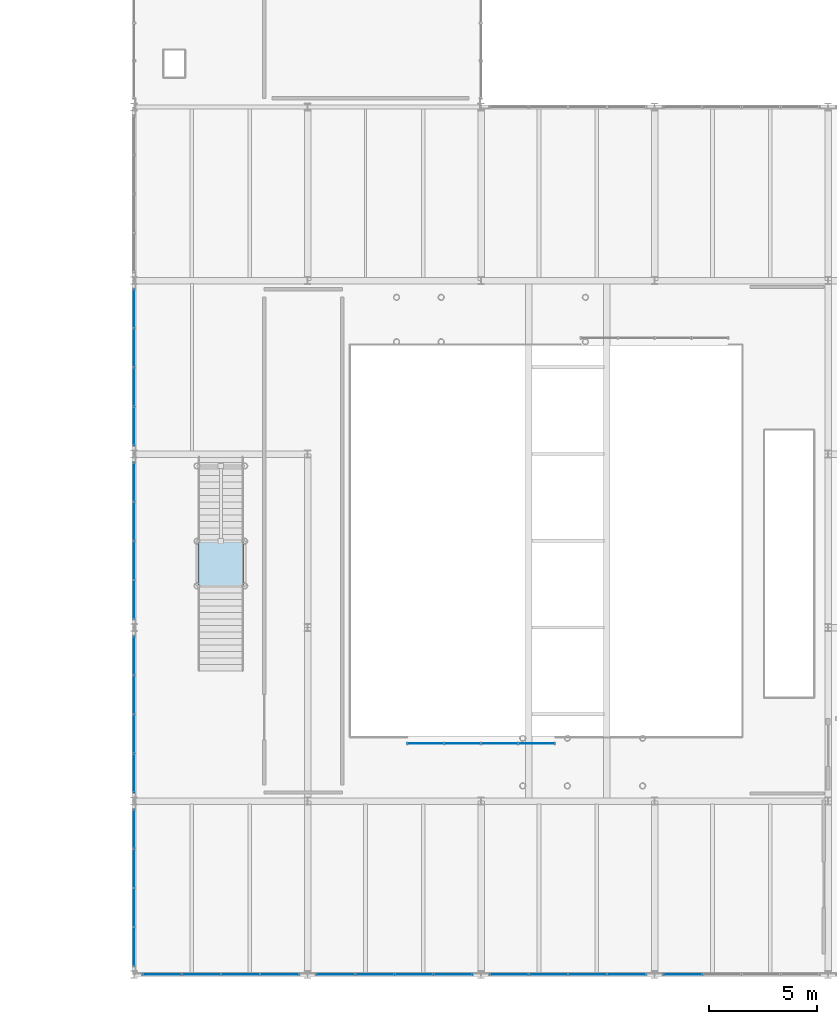
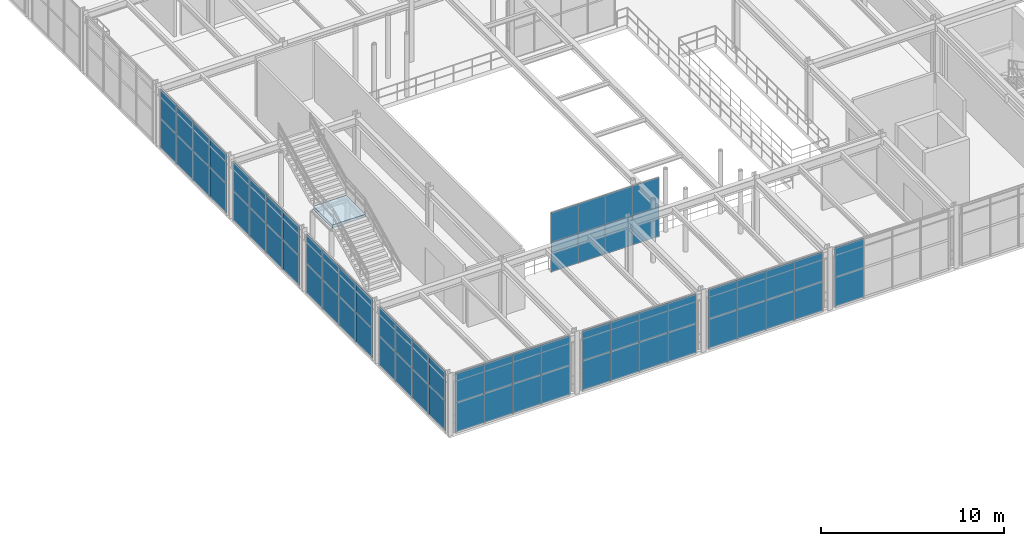
# One storey, part 68 of 122: 66 plates, 1 slab, 10 elements without a shape of their own.
"""IFC4 building model written with IfcOpenShell, lengths in metres."""

from ifc_helpers import new_model, si_unit, direction, frame, origin, origin_2d, place, context, subcontext, project, spatial, polyline, rectangle, outline, extrude, material, layer, layer_set, type_object, element, aggregate, save


model = new_model("IFC4")

# Units and contexts
model_context = context("Model", 3, precision=1e-05, world=origin(), true_north=direction((0.0, 1.0)))
body_context = subcontext(model_context, "Body", "Model", "MODEL_VIEW")
ifc_project = project(units=[si_unit("LENGTHUNIT", "METRE"), si_unit("AREAUNIT", "SQUARE_METRE"), si_unit("VOLUMEUNIT", "CUBIC_METRE"), si_unit("PLANEANGLEUNIT", "RADIAN"), si_unit("MASSUNIT", "GRAM", prefix="KILO")], contexts=[model_context])

# Site, building, storey
site_placement = place(None, origin())
site = spatial("IfcSite", under=ifc_project, at=site_placement, CompositionType="ELEMENT")
building_placement = place(site_placement, origin())
building = spatial("IfcBuilding", under=site, at=building_placement, Name="Sundkrona Museum", CompositionType="ELEMENT")
storey_placement = place(building_placement, frame((0.0, 0.0, 5.39990234375)))
storey = spatial("IfcBuildingStorey", under=building, at=storey_placement, Name="L01", CompositionType="ELEMENT", Elevation=5.39990234375)

# Curtain wall, plates
ifc_material_1 = material(Name="Unitised Aluminium-Steel and Ceramic-Clad Curtain Walling", Category="steel")
curtain_wall_type_1 = type_object("IfcCurtainWallType", Name="CW-AT-72x38", PredefinedType="NOTDEFINED", material=ifc_material_1)
curtain_wall_1_placement = place(storey_placement, origin())
curtain_wall_1 = element("IfcCurtainWall", 1, at=curtain_wall_1_placement, inside=storey, type_object=curtain_wall_type_1, Name="L01 Curtain Wall CW-L01-028", PredefinedType="NOTDEFINED")
ifc_material_2 = material(Name="Triple Low-E Vision Glazing 32 mm", Category="glass")
ifc_layer_1 = layer(ifc_material_2, 0.031982421875)
ifc_layer_set_1 = layer_set([ifc_layer_1], Name="Triple Low-E Vision Glazing 32 mm")
plate_type_1 = type_object("IfcPlateType", Name="PN-GL-01", PredefinedType="CURTAIN_PANEL", material=ifc_layer_set_1)
plate_1_placement = place(storey_placement, frame((81.300048828125, 0.0, -0.00390625), z_axis=(0.0, 0.0, 1.0), x_axis=(1.0, 0.0, 0.0)))
plate_1 = element("IfcPlate", 2, at=plate_1_placement, type_object=plate_type_1, Name="CW-L01-028 Panel 01", PredefinedType="CURTAIN_PANEL", context=body_context, shape_type="SweptSolid", body=[
    extrude(rectangle(XDim=1.800048828125, YDim=0.031982421875, at=origin_2d()), origin(), (0.0, 0.0, 1.0), 1.97412109375),
])
plate_2_placement = place(storey_placement, frame((81.300048828125, 0.0, 1.969970703125), z_axis=(0.0, 0.0, 1.0), x_axis=(1.0, 0.0, 0.0)))
plate_2 = element("IfcPlate", 3, at=plate_2_placement, type_object=plate_type_1, Name="CW-L01-028 Panel 02", PredefinedType="CURTAIN_PANEL", context=body_context, shape_type="SweptSolid", body=[
    extrude(rectangle(XDim=1.800048828125, YDim=0.031982421875, at=origin_2d()), origin(), (0.0, 0.0, 1.0), 1.97412109375),
])
plate_3_placement = place(storey_placement, frame((83.10009765625, 0.0, -0.00390625), z_axis=(0.0, 0.0, 1.0), x_axis=(1.0, 0.0, 0.0)))
plate_3 = element("IfcPlate", 4, at=plate_3_placement, type_object=plate_type_1, Name="CW-L01-028 Panel 03", PredefinedType="CURTAIN_PANEL", context=body_context, shape_type="SweptSolid", body=[
    extrude(rectangle(XDim=1.800048828125, YDim=0.031982421875, at=origin_2d()), origin(), (0.0, 0.0, 1.0), 1.97412109375),
])
plate_4_placement = place(storey_placement, frame((83.10009765625, 0.0, 1.969970703125), z_axis=(0.0, 0.0, 1.0), x_axis=(1.0, 0.0, 0.0)))
plate_4 = element("IfcPlate", 5, at=plate_4_placement, type_object=plate_type_1, Name="CW-L01-028 Panel 04", PredefinedType="CURTAIN_PANEL", context=body_context, shape_type="SweptSolid", body=[
    extrude(rectangle(XDim=1.800048828125, YDim=0.031982421875, at=origin_2d()), origin(), (0.0, 0.0, 1.0), 1.97412109375),
])
plate_5_placement = place(storey_placement, frame((84.89990234375, 0.0, -0.00390625), z_axis=(0.0, 0.0, 1.0), x_axis=(1.0, 0.0, 0.0)))
plate_5 = element("IfcPlate", 6, at=plate_5_placement, type_object=plate_type_1, Name="CW-L01-028 Panel 05", PredefinedType="CURTAIN_PANEL", context=body_context, shape_type="SweptSolid", body=[
    extrude(rectangle(XDim=1.800048828125, YDim=0.031982421875, at=origin_2d()), origin(), (0.0, 0.0, 1.0), 1.97412109375),
])
plate_6_placement = place(storey_placement, frame((84.89990234375, 0.0, 1.969970703125), z_axis=(0.0, 0.0, 1.0), x_axis=(1.0, 0.0, 0.0)))
plate_6 = element("IfcPlate", 7, at=plate_6_placement, type_object=plate_type_1, Name="CW-L01-028 Panel 06", PredefinedType="CURTAIN_PANEL", context=body_context, shape_type="SweptSolid", body=[
    extrude(rectangle(XDim=1.800048828125, YDim=0.031982421875, at=origin_2d()), origin(), (0.0, 0.0, 1.0), 1.97412109375),
])
plate_7_placement = place(storey_placement, frame((86.699951171875, 0.0, -0.00390625), z_axis=(0.0, 0.0, 1.0), x_axis=(1.0, 0.0, 0.0)))
plate_7 = element("IfcPlate", 8, at=plate_7_placement, type_object=plate_type_1, Name="CW-L01-028 Panel 07", PredefinedType="CURTAIN_PANEL", context=body_context, shape_type="SweptSolid", body=[
    extrude(rectangle(XDim=1.800048828125, YDim=0.031982421875, at=origin_2d()), origin(), (0.0, 0.0, 1.0), 1.97412109375),
])
plate_8_placement = place(storey_placement, frame((86.699951171875, 0.0, 1.969970703125), z_axis=(0.0, 0.0, 1.0), x_axis=(1.0, 0.0, 0.0)))
plate_8 = element("IfcPlate", 9, at=plate_8_placement, type_object=plate_type_1, Name="CW-L01-028 Panel 08", PredefinedType="CURTAIN_PANEL", context=body_context, shape_type="SweptSolid", body=[
    extrude(rectangle(XDim=1.800048828125, YDim=0.031982421875, at=origin_2d()), origin(), (0.0, 0.0, 1.0), 1.97412109375),
])
aggregate(curtain_wall_1, [plate_1, plate_2, plate_3, plate_4, plate_5, plate_6, plate_7, plate_8])

curtain_wall_2_placement = place(storey_placement, origin())
curtain_wall_2 = element("IfcCurtainWall", 10, at=curtain_wall_2_placement, inside=storey, type_object=curtain_wall_type_1, Name="L01 Curtain Wall CW-L01-029", PredefinedType="NOTDEFINED")
plate_9_placement = place(storey_placement, frame((89.300048828125, 0.0, -0.00390625), z_axis=(0.0, 0.0, 1.0), x_axis=(1.0, 0.0, 0.0)))
plate_9 = element("IfcPlate", 11, at=plate_9_placement, type_object=plate_type_1, Name="CW-L01-029 Panel 01", PredefinedType="CURTAIN_PANEL", context=body_context, shape_type="SweptSolid", body=[
    extrude(rectangle(XDim=1.800048828125, YDim=0.031982421875, at=origin_2d()), origin(), (0.0, 0.0, 1.0), 1.97412109375),
])
plate_10_placement = place(storey_placement, frame((89.300048828125, 0.0, 1.969970703125), z_axis=(0.0, 0.0, 1.0), x_axis=(1.0, 0.0, 0.0)))
plate_10 = element("IfcPlate", 12, at=plate_10_placement, type_object=plate_type_1, Name="CW-L01-029 Panel 02", PredefinedType="CURTAIN_PANEL", context=body_context, shape_type="SweptSolid", body=[
    extrude(rectangle(XDim=1.800048828125, YDim=0.031982421875, at=origin_2d()), origin(), (0.0, 0.0, 1.0), 1.97412109375),
])
plate_11_placement = place(storey_placement, frame((91.10009765625, 0.0, -0.00390625), z_axis=(0.0, 0.0, 1.0), x_axis=(1.0, 0.0, 0.0)))
plate_11 = element("IfcPlate", 13, at=plate_11_placement, type_object=plate_type_1, Name="CW-L01-029 Panel 03", PredefinedType="CURTAIN_PANEL", context=body_context, shape_type="SweptSolid", body=[
    extrude(rectangle(XDim=1.800048828125, YDim=0.031982421875, at=origin_2d()), origin(), (0.0, 0.0, 1.0), 1.97412109375),
])
plate_12_placement = place(storey_placement, frame((91.10009765625, 0.0, 1.969970703125), z_axis=(0.0, 0.0, 1.0), x_axis=(1.0, 0.0, 0.0)))
plate_12 = element("IfcPlate", 14, at=plate_12_placement, type_object=plate_type_1, Name="CW-L01-029 Panel 04", PredefinedType="CURTAIN_PANEL", context=body_context, shape_type="SweptSolid", body=[
    extrude(rectangle(XDim=1.800048828125, YDim=0.031982421875, at=origin_2d()), origin(), (0.0, 0.0, 1.0), 1.97412109375),
])
plate_13_placement = place(storey_placement, frame((92.89990234375, 0.0, -0.00390625), z_axis=(0.0, 0.0, 1.0), x_axis=(1.0, 0.0, 0.0)))
plate_13 = element("IfcPlate", 15, at=plate_13_placement, type_object=plate_type_1, Name="CW-L01-029 Panel 05", PredefinedType="CURTAIN_PANEL", context=body_context, shape_type="SweptSolid", body=[
    extrude(rectangle(XDim=1.800048828125, YDim=0.031982421875, at=origin_2d()), origin(), (0.0, 0.0, 1.0), 1.97412109375),
])
plate_14_placement = place(storey_placement, frame((92.89990234375, 0.0, 1.969970703125), z_axis=(0.0, 0.0, 1.0), x_axis=(1.0, 0.0, 0.0)))
plate_14 = element("IfcPlate", 16, at=plate_14_placement, type_object=plate_type_1, Name="CW-L01-029 Panel 06", PredefinedType="CURTAIN_PANEL", context=body_context, shape_type="SweptSolid", body=[
    extrude(rectangle(XDim=1.800048828125, YDim=0.031982421875, at=origin_2d()), origin(), (0.0, 0.0, 1.0), 1.97412109375),
])
plate_15_placement = place(storey_placement, frame((94.699951171875, 0.0, -0.00390625), z_axis=(0.0, 0.0, 1.0), x_axis=(1.0, 0.0, 0.0)))
plate_15 = element("IfcPlate", 17, at=plate_15_placement, type_object=plate_type_1, Name="CW-L01-029 Panel 07", PredefinedType="CURTAIN_PANEL", context=body_context, shape_type="SweptSolid", body=[
    extrude(rectangle(XDim=1.800048828125, YDim=0.031982421875, at=origin_2d()), origin(), (0.0, 0.0, 1.0), 1.97412109375),
])
plate_16_placement = place(storey_placement, frame((94.699951171875, 0.0, 1.969970703125), z_axis=(0.0, 0.0, 1.0), x_axis=(1.0, 0.0, 0.0)))
plate_16 = element("IfcPlate", 18, at=plate_16_placement, type_object=plate_type_1, Name="CW-L01-029 Panel 08", PredefinedType="CURTAIN_PANEL", context=body_context, shape_type="SweptSolid", body=[
    extrude(rectangle(XDim=1.800048828125, YDim=0.031982421875, at=origin_2d()), origin(), (0.0, 0.0, 1.0), 1.97412109375),
])
aggregate(curtain_wall_2, [plate_9, plate_10, plate_11, plate_12, plate_13, plate_14, plate_15, plate_16])

curtain_wall_3_placement = place(storey_placement, origin())
curtain_wall_3 = element("IfcCurtainWall", 19, at=curtain_wall_3_placement, inside=storey, type_object=curtain_wall_type_1, Name="L01 Curtain Wall CW-L01-030", PredefinedType="NOTDEFINED")
plate_17_placement = place(storey_placement, frame((97.300048828125, 0.0, -0.00390625), z_axis=(0.0, 0.0, 1.0), x_axis=(1.0, 0.0, 0.0)))
plate_17 = element("IfcPlate", 20, at=plate_17_placement, type_object=plate_type_1, Name="CW-L01-030 Panel 01", PredefinedType="CURTAIN_PANEL", context=body_context, shape_type="SweptSolid", body=[
    extrude(rectangle(XDim=1.800048828125, YDim=0.031982421875, at=origin_2d()), origin(), (0.0, 0.0, 1.0), 1.97412109375),
])
plate_18_placement = place(storey_placement, frame((97.300048828125, 0.0, 1.969970703125), z_axis=(0.0, 0.0, 1.0), x_axis=(1.0, 0.0, 0.0)))
plate_18 = element("IfcPlate", 21, at=plate_18_placement, type_object=plate_type_1, Name="CW-L01-030 Panel 02", PredefinedType="CURTAIN_PANEL", context=body_context, shape_type="SweptSolid", body=[
    extrude(rectangle(XDim=1.800048828125, YDim=0.031982421875, at=origin_2d()), origin(), (0.0, 0.0, 1.0), 1.97412109375),
])
plate_19_placement = place(storey_placement, frame((99.10009765625, 0.0, -0.00390625), z_axis=(0.0, 0.0, 1.0), x_axis=(1.0, 0.0, 0.0)))
plate_19 = element("IfcPlate", 22, at=plate_19_placement, type_object=plate_type_1, Name="CW-L01-030 Panel 03", PredefinedType="CURTAIN_PANEL", context=body_context, shape_type="SweptSolid", body=[
    extrude(rectangle(XDim=1.800048828125, YDim=0.031982421875, at=origin_2d()), origin(), (0.0, 0.0, 1.0), 1.97412109375),
])
plate_20_placement = place(storey_placement, frame((99.10009765625, 0.0, 1.969970703125), z_axis=(0.0, 0.0, 1.0), x_axis=(1.0, 0.0, 0.0)))
plate_20 = element("IfcPlate", 23, at=plate_20_placement, type_object=plate_type_1, Name="CW-L01-030 Panel 04", PredefinedType="CURTAIN_PANEL", context=body_context, shape_type="SweptSolid", body=[
    extrude(rectangle(XDim=1.800048828125, YDim=0.031982421875, at=origin_2d()), origin(), (0.0, 0.0, 1.0), 1.97412109375),
])
plate_21_placement = place(storey_placement, frame((100.89990234375, 0.0, -0.00390625), z_axis=(0.0, 0.0, 1.0), x_axis=(1.0, 0.0, 0.0)))
plate_21 = element("IfcPlate", 24, at=plate_21_placement, type_object=plate_type_1, Name="CW-L01-030 Panel 05", PredefinedType="CURTAIN_PANEL", context=body_context, shape_type="SweptSolid", body=[
    extrude(rectangle(XDim=1.800048828125, YDim=0.031982421875, at=origin_2d()), origin(), (0.0, 0.0, 1.0), 1.97412109375),
])
plate_22_placement = place(storey_placement, frame((100.89990234375, 0.0, 1.969970703125), z_axis=(0.0, 0.0, 1.0), x_axis=(1.0, 0.0, 0.0)))
plate_22 = element("IfcPlate", 25, at=plate_22_placement, type_object=plate_type_1, Name="CW-L01-030 Panel 06", PredefinedType="CURTAIN_PANEL", context=body_context, shape_type="SweptSolid", body=[
    extrude(rectangle(XDim=1.800048828125, YDim=0.031982421875, at=origin_2d()), origin(), (0.0, 0.0, 1.0), 1.97412109375),
])
plate_23_placement = place(storey_placement, frame((102.699951171875, 0.0, -0.00390625), z_axis=(0.0, 0.0, 1.0), x_axis=(1.0, 0.0, 0.0)))
plate_23 = element("IfcPlate", 26, at=plate_23_placement, type_object=plate_type_1, Name="CW-L01-030 Panel 07", PredefinedType="CURTAIN_PANEL", context=body_context, shape_type="SweptSolid", body=[
    extrude(rectangle(XDim=1.800048828125, YDim=0.031982421875, at=origin_2d()), origin(), (0.0, 0.0, 1.0), 1.97412109375),
])
plate_24_placement = place(storey_placement, frame((102.699951171875, 0.0, 1.969970703125), z_axis=(0.0, 0.0, 1.0), x_axis=(1.0, 0.0, 0.0)))
plate_24 = element("IfcPlate", 27, at=plate_24_placement, type_object=plate_type_1, Name="CW-L01-030 Panel 08", PredefinedType="CURTAIN_PANEL", context=body_context, shape_type="SweptSolid", body=[
    extrude(rectangle(XDim=1.800048828125, YDim=0.031982421875, at=origin_2d()), origin(), (0.0, 0.0, 1.0), 1.97412109375),
])
aggregate(curtain_wall_3, [plate_17, plate_18, plate_19, plate_20, plate_21, plate_22, plate_23, plate_24])

curtain_wall_4_placement = place(storey_placement, origin())
curtain_wall_4 = element("IfcCurtainWall", 28, at=curtain_wall_4_placement, inside=storey, type_object=curtain_wall_type_1, Name="L01 Curtain Wall CW-L01-031", PredefinedType="NOTDEFINED")
plate_25_placement = place(storey_placement, frame((105.300048828125, 0.0, -0.00390625), z_axis=(0.0, 0.0, 1.0), x_axis=(1.0, 0.0, 0.0)))
plate_25 = element("IfcPlate", 29, at=plate_25_placement, type_object=plate_type_1, Name="CW-L01-031 Panel 01", PredefinedType="CURTAIN_PANEL", context=body_context, shape_type="SweptSolid", body=[
    extrude(rectangle(XDim=1.800048828125, YDim=0.031982421875, at=origin_2d()), origin(), (0.0, 0.0, 1.0), 1.97412109375),
])
plate_26_placement = place(storey_placement, frame((105.300048828125, 0.0, 1.969970703125), z_axis=(0.0, 0.0, 1.0), x_axis=(1.0, 0.0, 0.0)))
plate_26 = element("IfcPlate", 30, at=plate_26_placement, type_object=plate_type_1, Name="CW-L01-031 Panel 02", PredefinedType="CURTAIN_PANEL", context=body_context, shape_type="SweptSolid", body=[
    extrude(rectangle(XDim=1.800048828125, YDim=0.031982421875, at=origin_2d()), origin(), (0.0, 0.0, 1.0), 1.97412109375),
])
aggregate(curtain_wall_4, [plate_25, plate_26])

curtain_wall_5_placement = place(storey_placement, origin())
curtain_wall_5 = element("IfcCurtainWall", 31, at=curtain_wall_5_placement, inside=storey, type_object=curtain_wall_type_1, Name="L01 Curtain Wall CW-L01-033", PredefinedType="NOTDEFINED")
plate_27_placement = place(storey_placement, frame((80.0, 1.300048828125, -0.00390625), z_axis=(0.0, 0.0, 1.0), x_axis=(0.0, 1.0, 0.0)))
plate_27 = element("IfcPlate", 32, at=plate_27_placement, type_object=plate_type_1, Name="CW-L01-033 Panel 01", PredefinedType="CURTAIN_PANEL", context=body_context, shape_type="SweptSolid", body=[
    extrude(rectangle(XDim=1.800048828125, YDim=0.031982421875, at=origin_2d()), origin(), (0.0, 0.0, 1.0), 1.97412109375),
])
plate_28_placement = place(storey_placement, frame((80.0, 1.300048828125, 1.969970703125), z_axis=(0.0, 0.0, 1.0), x_axis=(0.0, 1.0, 0.0)))
plate_28 = element("IfcPlate", 33, at=plate_28_placement, type_object=plate_type_1, Name="CW-L01-033 Panel 02", PredefinedType="CURTAIN_PANEL", context=body_context, shape_type="SweptSolid", body=[
    extrude(rectangle(XDim=1.800048828125, YDim=0.031982421875, at=origin_2d()), origin(), (0.0, 0.0, 1.0), 1.97412109375),
])
plate_29_placement = place(storey_placement, frame((80.0, 3.10009765625, -0.00390625), z_axis=(0.0, 0.0, 1.0), x_axis=(0.0, 1.0, 0.0)))
plate_29 = element("IfcPlate", 34, at=plate_29_placement, type_object=plate_type_1, Name="CW-L01-033 Panel 03", PredefinedType="CURTAIN_PANEL", context=body_context, shape_type="SweptSolid", body=[
    extrude(rectangle(XDim=1.800048828125, YDim=0.031982421875, at=origin_2d()), origin(), (0.0, 0.0, 1.0), 1.97412109375),
])
plate_30_placement = place(storey_placement, frame((80.0, 3.10009765625, 1.969970703125), z_axis=(0.0, 0.0, 1.0), x_axis=(0.0, 1.0, 0.0)))
plate_30 = element("IfcPlate", 35, at=plate_30_placement, type_object=plate_type_1, Name="CW-L01-033 Panel 04", PredefinedType="CURTAIN_PANEL", context=body_context, shape_type="SweptSolid", body=[
    extrude(rectangle(XDim=1.800048828125, YDim=0.031982421875, at=origin_2d()), origin(), (0.0, 0.0, 1.0), 1.97412109375),
])
plate_31_placement = place(storey_placement, frame((80.0, 4.89990234375, -0.00390625), z_axis=(0.0, 0.0, 1.0), x_axis=(0.0, 1.0, 0.0)))
plate_31 = element("IfcPlate", 36, at=plate_31_placement, type_object=plate_type_1, Name="CW-L01-033 Panel 05", PredefinedType="CURTAIN_PANEL", context=body_context, shape_type="SweptSolid", body=[
    extrude(rectangle(XDim=1.800048828125, YDim=0.031982421875, at=origin_2d()), origin(), (0.0, 0.0, 1.0), 1.97412109375),
])
plate_32_placement = place(storey_placement, frame((80.0, 4.89990234375, 1.969970703125), z_axis=(0.0, 0.0, 1.0), x_axis=(0.0, 1.0, 0.0)))
plate_32 = element("IfcPlate", 37, at=plate_32_placement, type_object=plate_type_1, Name="CW-L01-033 Panel 06", PredefinedType="CURTAIN_PANEL", context=body_context, shape_type="SweptSolid", body=[
    extrude(rectangle(XDim=1.800048828125, YDim=0.031982421875, at=origin_2d()), origin(), (0.0, 0.0, 1.0), 1.97412109375),
])
plate_33_placement = place(storey_placement, frame((80.0, 6.699951171875, -0.00390625), z_axis=(0.0, 0.0, 1.0), x_axis=(0.0, 1.0, 0.0)))
plate_33 = element("IfcPlate", 38, at=plate_33_placement, type_object=plate_type_1, Name="CW-L01-033 Panel 07", PredefinedType="CURTAIN_PANEL", context=body_context, shape_type="SweptSolid", body=[
    extrude(rectangle(XDim=1.800048828125, YDim=0.031982421875, at=origin_2d()), origin(), (0.0, 0.0, 1.0), 1.97412109375),
])
plate_34_placement = place(storey_placement, frame((80.0, 6.699951171875, 1.969970703125), z_axis=(0.0, 0.0, 1.0), x_axis=(0.0, 1.0, 0.0)))
plate_34 = element("IfcPlate", 39, at=plate_34_placement, type_object=plate_type_1, Name="CW-L01-033 Panel 08", PredefinedType="CURTAIN_PANEL", context=body_context, shape_type="SweptSolid", body=[
    extrude(rectangle(XDim=1.800048828125, YDim=0.031982421875, at=origin_2d()), origin(), (0.0, 0.0, 1.0), 1.97412109375),
])
aggregate(curtain_wall_5, [plate_27, plate_28, plate_29, plate_30, plate_31, plate_32, plate_33, plate_34])

curtain_wall_6_placement = place(storey_placement, origin())
curtain_wall_6 = element("IfcCurtainWall", 40, at=curtain_wall_6_placement, inside=storey, type_object=curtain_wall_type_1, Name="L01 Curtain Wall CW-L01-034", PredefinedType="NOTDEFINED")
plate_35_placement = place(storey_placement, frame((80.0, 9.300048828125, -0.00390625), z_axis=(0.0, 0.0, 1.0), x_axis=(0.0, 1.0, 0.0)))
plate_35 = element("IfcPlate", 41, at=plate_35_placement, type_object=plate_type_1, Name="CW-L01-034 Panel 01", PredefinedType="CURTAIN_PANEL", context=body_context, shape_type="SweptSolid", body=[
    extrude(rectangle(XDim=1.800048828125, YDim=0.031982421875, at=origin_2d()), origin(), (0.0, 0.0, 1.0), 1.97412109375),
])
plate_36_placement = place(storey_placement, frame((80.0, 9.300048828125, 1.969970703125), z_axis=(0.0, 0.0, 1.0), x_axis=(0.0, 1.0, 0.0)))
plate_36 = element("IfcPlate", 42, at=plate_36_placement, type_object=plate_type_1, Name="CW-L01-034 Panel 02", PredefinedType="CURTAIN_PANEL", context=body_context, shape_type="SweptSolid", body=[
    extrude(rectangle(XDim=1.800048828125, YDim=0.031982421875, at=origin_2d()), origin(), (0.0, 0.0, 1.0), 1.97412109375),
])
plate_37_placement = place(storey_placement, frame((80.0, 11.10009765625, -0.00390625), z_axis=(0.0, 0.0, 1.0), x_axis=(0.0, 1.0, 0.0)))
plate_37 = element("IfcPlate", 43, at=plate_37_placement, type_object=plate_type_1, Name="CW-L01-034 Panel 03", PredefinedType="CURTAIN_PANEL", context=body_context, shape_type="SweptSolid", body=[
    extrude(rectangle(XDim=1.800048828125, YDim=0.031982421875, at=origin_2d()), origin(), (0.0, 0.0, 1.0), 1.97412109375),
])
plate_38_placement = place(storey_placement, frame((80.0, 11.10009765625, 1.969970703125), z_axis=(0.0, 0.0, 1.0), x_axis=(0.0, 1.0, 0.0)))
plate_38 = element("IfcPlate", 44, at=plate_38_placement, type_object=plate_type_1, Name="CW-L01-034 Panel 04", PredefinedType="CURTAIN_PANEL", context=body_context, shape_type="SweptSolid", body=[
    extrude(rectangle(XDim=1.800048828125, YDim=0.031982421875, at=origin_2d()), origin(), (0.0, 0.0, 1.0), 1.97412109375),
])
plate_39_placement = place(storey_placement, frame((80.0, 12.89990234375, -0.00390625), z_axis=(0.0, 0.0, 1.0), x_axis=(0.0, 1.0, 0.0)))
plate_39 = element("IfcPlate", 45, at=plate_39_placement, type_object=plate_type_1, Name="CW-L01-034 Panel 05", PredefinedType="CURTAIN_PANEL", context=body_context, shape_type="SweptSolid", body=[
    extrude(rectangle(XDim=1.800048828125, YDim=0.031982421875, at=origin_2d()), origin(), (0.0, 0.0, 1.0), 1.97412109375),
])
plate_40_placement = place(storey_placement, frame((80.0, 12.89990234375, 1.969970703125), z_axis=(0.0, 0.0, 1.0), x_axis=(0.0, 1.0, 0.0)))
plate_40 = element("IfcPlate", 46, at=plate_40_placement, type_object=plate_type_1, Name="CW-L01-034 Panel 06", PredefinedType="CURTAIN_PANEL", context=body_context, shape_type="SweptSolid", body=[
    extrude(rectangle(XDim=1.800048828125, YDim=0.031982421875, at=origin_2d()), origin(), (0.0, 0.0, 1.0), 1.97412109375),
])
plate_41_placement = place(storey_placement, frame((80.0, 14.699951171875, -0.00390625), z_axis=(0.0, 0.0, 1.0), x_axis=(0.0, 1.0, 0.0)))
plate_41 = element("IfcPlate", 47, at=plate_41_placement, type_object=plate_type_1, Name="CW-L01-034 Panel 07", PredefinedType="CURTAIN_PANEL", context=body_context, shape_type="SweptSolid", body=[
    extrude(rectangle(XDim=1.800048828125, YDim=0.031982421875, at=origin_2d()), origin(), (0.0, 0.0, 1.0), 1.97412109375),
])
plate_42_placement = place(storey_placement, frame((80.0, 14.699951171875, 1.969970703125), z_axis=(0.0, 0.0, 1.0), x_axis=(0.0, 1.0, 0.0)))
plate_42 = element("IfcPlate", 48, at=plate_42_placement, type_object=plate_type_1, Name="CW-L01-034 Panel 08", PredefinedType="CURTAIN_PANEL", context=body_context, shape_type="SweptSolid", body=[
    extrude(rectangle(XDim=1.800048828125, YDim=0.031982421875, at=origin_2d()), origin(), (0.0, 0.0, 1.0), 1.97412109375),
])
aggregate(curtain_wall_6, [plate_35, plate_36, plate_37, plate_38, plate_39, plate_40, plate_41, plate_42])

curtain_wall_7_placement = place(storey_placement, origin())
curtain_wall_7 = element("IfcCurtainWall", 49, at=curtain_wall_7_placement, inside=storey, type_object=curtain_wall_type_1, Name="L01 Curtain Wall CW-L01-035", PredefinedType="NOTDEFINED")
plate_43_placement = place(storey_placement, frame((80.0, 17.300048828125, -0.00390625), z_axis=(0.0, 0.0, 1.0), x_axis=(0.0, 1.0, 0.0)))
plate_43 = element("IfcPlate", 50, at=plate_43_placement, type_object=plate_type_1, Name="CW-L01-035 Panel 01", PredefinedType="CURTAIN_PANEL", context=body_context, shape_type="SweptSolid", body=[
    extrude(rectangle(XDim=1.800048828125, YDim=0.031982421875, at=origin_2d()), origin(), (0.0, 0.0, 1.0), 1.97412109375),
])
plate_44_placement = place(storey_placement, frame((80.0, 17.300048828125, 1.969970703125), z_axis=(0.0, 0.0, 1.0), x_axis=(0.0, 1.0, 0.0)))
plate_44 = element("IfcPlate", 51, at=plate_44_placement, type_object=plate_type_1, Name="CW-L01-035 Panel 02", PredefinedType="CURTAIN_PANEL", context=body_context, shape_type="SweptSolid", body=[
    extrude(rectangle(XDim=1.800048828125, YDim=0.031982421875, at=origin_2d()), origin(), (0.0, 0.0, 1.0), 1.97412109375),
])
plate_45_placement = place(storey_placement, frame((80.0, 19.10009765625, -0.00390625), z_axis=(0.0, 0.0, 1.0), x_axis=(0.0, 1.0, 0.0)))
plate_45 = element("IfcPlate", 52, at=plate_45_placement, type_object=plate_type_1, Name="CW-L01-035 Panel 03", PredefinedType="CURTAIN_PANEL", context=body_context, shape_type="SweptSolid", body=[
    extrude(rectangle(XDim=1.800048828125, YDim=0.031982421875, at=origin_2d()), origin(), (0.0, 0.0, 1.0), 1.97412109375),
])
plate_46_placement = place(storey_placement, frame((80.0, 19.10009765625, 1.969970703125), z_axis=(0.0, 0.0, 1.0), x_axis=(0.0, 1.0, 0.0)))
plate_46 = element("IfcPlate", 53, at=plate_46_placement, type_object=plate_type_1, Name="CW-L01-035 Panel 04", PredefinedType="CURTAIN_PANEL", context=body_context, shape_type="SweptSolid", body=[
    extrude(rectangle(XDim=1.800048828125, YDim=0.031982421875, at=origin_2d()), origin(), (0.0, 0.0, 1.0), 1.97412109375),
])
plate_47_placement = place(storey_placement, frame((80.0, 20.89990234375, -0.00390625), z_axis=(0.0, 0.0, 1.0), x_axis=(0.0, 1.0, 0.0)))
plate_47 = element("IfcPlate", 54, at=plate_47_placement, type_object=plate_type_1, Name="CW-L01-035 Panel 05", PredefinedType="CURTAIN_PANEL", context=body_context, shape_type="SweptSolid", body=[
    extrude(rectangle(XDim=1.800048828125, YDim=0.031982421875, at=origin_2d()), origin(), (0.0, 0.0, 1.0), 1.97412109375),
])
plate_48_placement = place(storey_placement, frame((80.0, 20.89990234375, 1.969970703125), z_axis=(0.0, 0.0, 1.0), x_axis=(0.0, 1.0, 0.0)))
plate_48 = element("IfcPlate", 55, at=plate_48_placement, type_object=plate_type_1, Name="CW-L01-035 Panel 06", PredefinedType="CURTAIN_PANEL", context=body_context, shape_type="SweptSolid", body=[
    extrude(rectangle(XDim=1.800048828125, YDim=0.031982421875, at=origin_2d()), origin(), (0.0, 0.0, 1.0), 1.97412109375),
])
plate_49_placement = place(storey_placement, frame((80.0, 22.699951171875, -0.00390625), z_axis=(0.0, 0.0, 1.0), x_axis=(0.0, 1.0, 0.0)))
plate_49 = element("IfcPlate", 56, at=plate_49_placement, type_object=plate_type_1, Name="CW-L01-035 Panel 07", PredefinedType="CURTAIN_PANEL", context=body_context, shape_type="SweptSolid", body=[
    extrude(rectangle(XDim=1.800048828125, YDim=0.031982421875, at=origin_2d()), origin(), (0.0, 0.0, 1.0), 1.97412109375),
])
plate_50_placement = place(storey_placement, frame((80.0, 22.699951171875, 1.969970703125), z_axis=(0.0, 0.0, 1.0), x_axis=(0.0, 1.0, 0.0)))
plate_50 = element("IfcPlate", 57, at=plate_50_placement, type_object=plate_type_1, Name="CW-L01-035 Panel 08", PredefinedType="CURTAIN_PANEL", context=body_context, shape_type="SweptSolid", body=[
    extrude(rectangle(XDim=1.800048828125, YDim=0.031982421875, at=origin_2d()), origin(), (0.0, 0.0, 1.0), 1.97412109375),
])
aggregate(curtain_wall_7, [plate_43, plate_44, plate_45, plate_46, plate_47, plate_48, plate_49, plate_50])

curtain_wall_8_placement = place(storey_placement, origin())
curtain_wall_8 = element("IfcCurtainWall", 58, at=curtain_wall_8_placement, inside=storey, type_object=curtain_wall_type_1, Name="L01 Curtain Wall CW-L01-036", PredefinedType="NOTDEFINED")
plate_51_placement = place(storey_placement, frame((80.0, 25.300048828125, -0.00390625), z_axis=(0.0, 0.0, 1.0), x_axis=(0.0, 1.0, 0.0)))
plate_51 = element("IfcPlate", 59, at=plate_51_placement, type_object=plate_type_1, Name="CW-L01-036 Panel 01", PredefinedType="CURTAIN_PANEL", context=body_context, shape_type="SweptSolid", body=[
    extrude(rectangle(XDim=1.800048828125, YDim=0.031982421875, at=origin_2d()), origin(), (0.0, 0.0, 1.0), 1.97412109375),
])
plate_52_placement = place(storey_placement, frame((80.0, 25.300048828125, 1.969970703125), z_axis=(0.0, 0.0, 1.0), x_axis=(0.0, 1.0, 0.0)))
plate_52 = element("IfcPlate", 60, at=plate_52_placement, type_object=plate_type_1, Name="CW-L01-036 Panel 02", PredefinedType="CURTAIN_PANEL", context=body_context, shape_type="SweptSolid", body=[
    extrude(rectangle(XDim=1.800048828125, YDim=0.031982421875, at=origin_2d()), origin(), (0.0, 0.0, 1.0), 1.97412109375),
])
plate_53_placement = place(storey_placement, frame((80.0, 27.10009765625, -0.00390625), z_axis=(0.0, 0.0, 1.0), x_axis=(0.0, 1.0, 0.0)))
plate_53 = element("IfcPlate", 61, at=plate_53_placement, type_object=plate_type_1, Name="CW-L01-036 Panel 03", PredefinedType="CURTAIN_PANEL", context=body_context, shape_type="SweptSolid", body=[
    extrude(rectangle(XDim=1.800048828125, YDim=0.031982421875, at=origin_2d()), origin(), (0.0, 0.0, 1.0), 1.97412109375),
])
plate_54_placement = place(storey_placement, frame((80.0, 27.10009765625, 1.969970703125), z_axis=(0.0, 0.0, 1.0), x_axis=(0.0, 1.0, 0.0)))
plate_54 = element("IfcPlate", 62, at=plate_54_placement, type_object=plate_type_1, Name="CW-L01-036 Panel 04", PredefinedType="CURTAIN_PANEL", context=body_context, shape_type="SweptSolid", body=[
    extrude(rectangle(XDim=1.800048828125, YDim=0.031982421875, at=origin_2d()), origin(), (0.0, 0.0, 1.0), 1.97412109375),
])
plate_55_placement = place(storey_placement, frame((80.0, 28.89990234375, -0.00390625), z_axis=(0.0, 0.0, 1.0), x_axis=(0.0, 1.0, 0.0)))
plate_55 = element("IfcPlate", 63, at=plate_55_placement, type_object=plate_type_1, Name="CW-L01-036 Panel 05", PredefinedType="CURTAIN_PANEL", context=body_context, shape_type="SweptSolid", body=[
    extrude(rectangle(XDim=1.800048828125, YDim=0.031982421875, at=origin_2d()), origin(), (0.0, 0.0, 1.0), 1.97412109375),
])
plate_56_placement = place(storey_placement, frame((80.0, 28.89990234375, 1.969970703125), z_axis=(0.0, 0.0, 1.0), x_axis=(0.0, 1.0, 0.0)))
plate_56 = element("IfcPlate", 64, at=plate_56_placement, type_object=plate_type_1, Name="CW-L01-036 Panel 06", PredefinedType="CURTAIN_PANEL", context=body_context, shape_type="SweptSolid", body=[
    extrude(rectangle(XDim=1.800048828125, YDim=0.031982421875, at=origin_2d()), origin(), (0.0, 0.0, 1.0), 1.97412109375),
])
plate_57_placement = place(storey_placement, frame((80.0, 30.699951171875, -0.00390625), z_axis=(0.0, 0.0, 1.0), x_axis=(0.0, 1.0, 0.0)))
plate_57 = element("IfcPlate", 65, at=plate_57_placement, type_object=plate_type_1, Name="CW-L01-036 Panel 07", PredefinedType="CURTAIN_PANEL", context=body_context, shape_type="SweptSolid", body=[
    extrude(rectangle(XDim=1.800048828125, YDim=0.031982421875, at=origin_2d()), origin(), (0.0, 0.0, 1.0), 1.97412109375),
])
plate_58_placement = place(storey_placement, frame((80.0, 30.699951171875, 1.969970703125), z_axis=(0.0, 0.0, 1.0), x_axis=(0.0, 1.0, 0.0)))
plate_58 = element("IfcPlate", 66, at=plate_58_placement, type_object=plate_type_1, Name="CW-L01-036 Panel 08", PredefinedType="CURTAIN_PANEL", context=body_context, shape_type="SweptSolid", body=[
    extrude(rectangle(XDim=1.800048828125, YDim=0.031982421875, at=origin_2d()), origin(), (0.0, 0.0, 1.0), 1.97412109375),
])
aggregate(curtain_wall_8, [plate_51, plate_52, plate_53, plate_54, plate_55, plate_56, plate_57, plate_58])

curtain_wall_type_2 = type_object("IfcCurtainWallType", Name="CW-IN-68x36", PredefinedType="NOTDEFINED", material=ifc_material_1)
curtain_wall_9_placement = place(storey_placement, origin())
curtain_wall_9 = element("IfcCurtainWall", 67, at=curtain_wall_9_placement, inside=storey, type_object=curtain_wall_type_2, Name="L01 Curtain Wall CW-L01-041", PredefinedType="NOTDEFINED")
ifc_material_3 = material(Name="Tempered Laminated Fire Glass 32 mm", Category="glass")
ifc_layer_2 = layer(ifc_material_3, 0.031982421875)
ifc_layer_set_2 = layer_set([ifc_layer_2], Name="Tempered Laminated Fire Glass 32 mm")
plate_type_2 = type_object("IfcPlateType", Name="PN-IN-01", PredefinedType="CURTAIN_PANEL", material=ifc_layer_set_2)
plate_59_placement = place(storey_placement, frame((93.449951171875, 10.64990234375, -0.00390625), z_axis=(0.0, 0.0, 1.0), x_axis=(1.0, 0.0, 0.0)))
plate_59 = element("IfcPlate", 68, at=plate_59_placement, type_object=plate_type_2, Name="CW-L01-041 Panel 01", PredefinedType="CURTAIN_PANEL", context=body_context, shape_type="SweptSolid", body=[
    extrude(rectangle(XDim=1.699951171875, YDim=0.031982421875, at=origin_2d()), origin(), (0.0, 0.0, 1.0), 1.97412109375),
])
plate_60_placement = place(storey_placement, frame((93.449951171875, 10.64990234375, 1.969970703125), z_axis=(0.0, 0.0, 1.0), x_axis=(1.0, 0.0, 0.0)))
plate_60 = element("IfcPlate", 69, at=plate_60_placement, type_object=plate_type_2, Name="CW-L01-041 Panel 02", PredefinedType="CURTAIN_PANEL", context=body_context, shape_type="SweptSolid", body=[
    extrude(rectangle(XDim=1.699951171875, YDim=0.031982421875, at=origin_2d()), origin(), (0.0, 0.0, 1.0), 1.97412109375),
])
plate_61_placement = place(storey_placement, frame((95.14990234375, 10.64990234375, -0.00390625), z_axis=(0.0, 0.0, 1.0), x_axis=(1.0, 0.0, 0.0)))
plate_61 = element("IfcPlate", 70, at=plate_61_placement, type_object=plate_type_2, Name="CW-L01-041 Panel 03", PredefinedType="CURTAIN_PANEL", context=body_context, shape_type="SweptSolid", body=[
    extrude(rectangle(XDim=1.699951171875, YDim=0.031982421875, at=origin_2d()), origin(), (0.0, 0.0, 1.0), 1.97412109375),
])
plate_62_placement = place(storey_placement, frame((95.14990234375, 10.64990234375, 1.969970703125), z_axis=(0.0, 0.0, 1.0), x_axis=(1.0, 0.0, 0.0)))
plate_62 = element("IfcPlate", 71, at=plate_62_placement, type_object=plate_type_2, Name="CW-L01-041 Panel 04", PredefinedType="CURTAIN_PANEL", context=body_context, shape_type="SweptSolid", body=[
    extrude(rectangle(XDim=1.699951171875, YDim=0.031982421875, at=origin_2d()), origin(), (0.0, 0.0, 1.0), 1.97412109375),
])
plate_63_placement = place(storey_placement, frame((96.85009765625, 10.64990234375, -0.00390625), z_axis=(0.0, 0.0, 1.0), x_axis=(1.0, 0.0, 0.0)))
plate_63 = element("IfcPlate", 72, at=plate_63_placement, type_object=plate_type_2, Name="CW-L01-041 Panel 05", PredefinedType="CURTAIN_PANEL", context=body_context, shape_type="SweptSolid", body=[
    extrude(rectangle(XDim=1.699951171875, YDim=0.031982421875, at=origin_2d()), origin(), (0.0, 0.0, 1.0), 1.97412109375),
])
plate_64_placement = place(storey_placement, frame((96.85009765625, 10.64990234375, 1.969970703125), z_axis=(0.0, 0.0, 1.0), x_axis=(1.0, 0.0, 0.0)))
plate_64 = element("IfcPlate", 73, at=plate_64_placement, type_object=plate_type_2, Name="CW-L01-041 Panel 06", PredefinedType="CURTAIN_PANEL", context=body_context, shape_type="SweptSolid", body=[
    extrude(rectangle(XDim=1.699951171875, YDim=0.031982421875, at=origin_2d()), origin(), (0.0, 0.0, 1.0), 1.97412109375),
])
plate_65_placement = place(storey_placement, frame((98.550048828125, 10.64990234375, -0.00390625), z_axis=(0.0, 0.0, 1.0), x_axis=(1.0, 0.0, 0.0)))
plate_65 = element("IfcPlate", 74, at=plate_65_placement, type_object=plate_type_2, Name="CW-L01-041 Panel 07", PredefinedType="CURTAIN_PANEL", context=body_context, shape_type="SweptSolid", body=[
    extrude(rectangle(XDim=1.699951171875, YDim=0.031982421875, at=origin_2d()), origin(), (0.0, 0.0, 1.0), 1.97412109375),
])
plate_66_placement = place(storey_placement, frame((98.550048828125, 10.64990234375, 1.969970703125), z_axis=(0.0, 0.0, 1.0), x_axis=(1.0, 0.0, 0.0)))
plate_66 = element("IfcPlate", 75, at=plate_66_placement, type_object=plate_type_2, Name="CW-L01-041 Panel 08", PredefinedType="CURTAIN_PANEL", context=body_context, shape_type="SweptSolid", body=[
    extrude(rectangle(XDim=1.699951171875, YDim=0.031982421875, at=origin_2d()), origin(), (0.0, 0.0, 1.0), 1.97412109375),
])
aggregate(curtain_wall_9, [plate_59, plate_60, plate_61, plate_62, plate_63, plate_64, plate_65, plate_66])

# Stair, slab
ifc_material_4 = material(Name="Steel S355J2 and Terrazzo Treads", Category="steel")
stair_type = type_object("IfcStairType", Name="ST-FS-420", PredefinedType="STRAIGHT_RUN_STAIR", material=ifc_material_4)
stair_placement = place(storey_placement, origin())
stair = element("IfcStair", 76, at=stair_placement, inside=storey, type_object=stair_type, Name="L01 Feature Stair FS-2", PredefinedType="STRAIGHT_RUN_STAIR")
ifc_material_5 = material(Name="Concrete C35/45", Category="concrete")
ifc_layer_3 = layer(ifc_material_5, 0.219970703125)
ifc_layer_set_3 = layer_set([ifc_layer_3], Name="Concrete C35/45")
slab_type = type_object("IfcSlabType", Name="SL-LN-220", PredefinedType="LANDING", material=ifc_layer_set_3)
slab_placement = place(storey_placement, frame((0.0, 0.0, 1.880126953125)))
slab = element("IfcSlab", 77, at=slab_placement, type_object=slab_type, Name="L01 Feature Stair FS-2 Landing 1", PredefinedType="LANDING", context=body_context, shape_type="SweptSolid", body=[
    extrude(outline(polyline([(85.050048828125, 17.89990234375), (85.050048828125, 20.0), (82.949951171875, 20.0), (82.949951171875, 17.89990234375), (85.050048828125, 17.89990234375)])), origin(), (0.0, 0.0, 1.0), 0.219970703125),
])
aggregate(stair, [slab])

save(model, "model.ifc")
